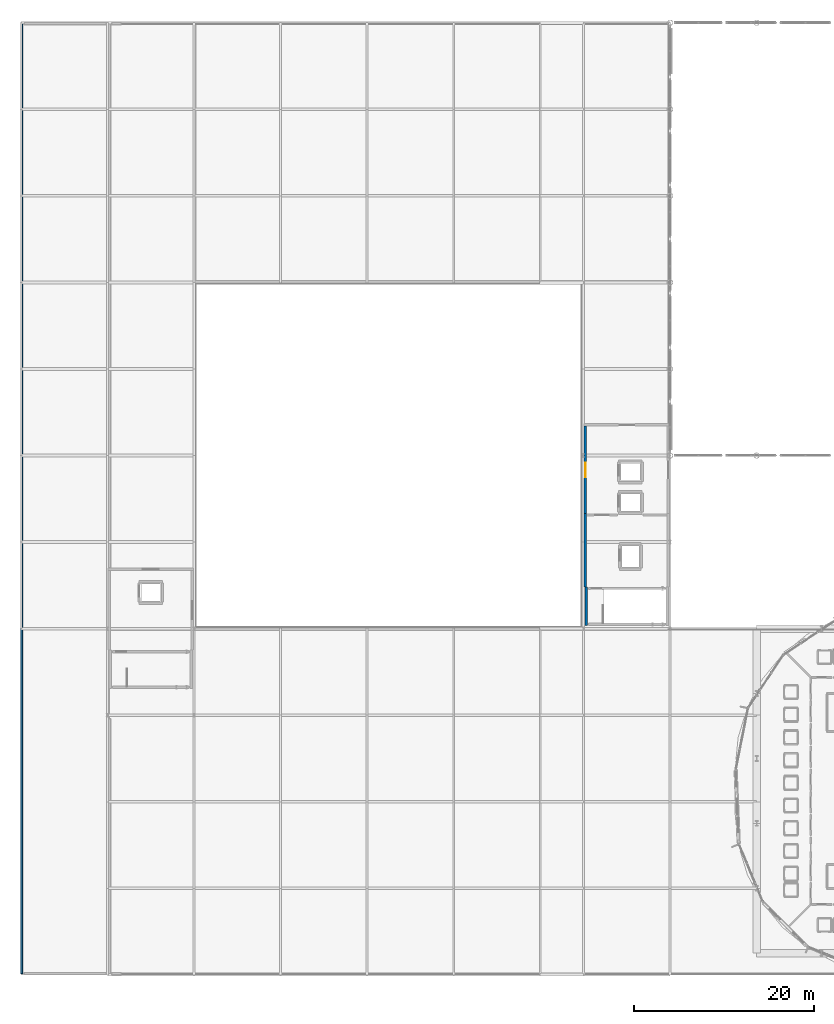
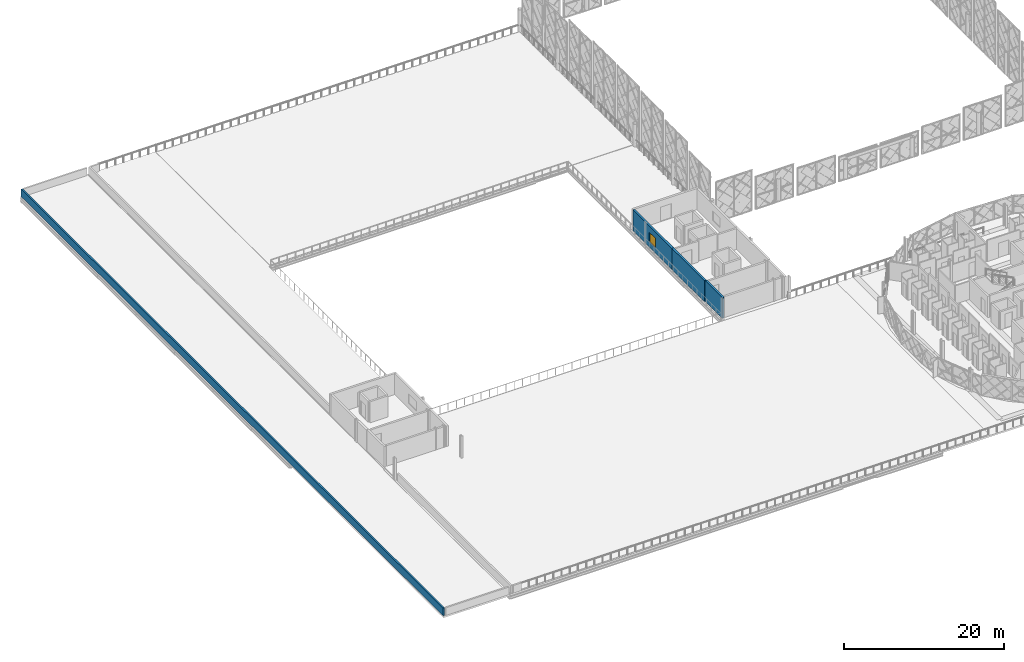
# One storey, part 29 of 53: 4 walls, 1 window, 1 opening.
"""IFC4 building model written with IfcOpenShell, lengths in metres."""

from ifc_helpers import new_model, si_unit, direction, frame, frame_2d, origin, place, context, subcontext, project, spatial, rectangle, extrude, material, layer, layer_set, type_object, element, fill, save


model = new_model("IFC4")

# Units and contexts
model_context = context("Model", 3, precision=1e-05, world=origin(), true_north=direction((0.0, 1.0)))
body_context = subcontext(model_context, "Body", "Model", "MODEL_VIEW")
ifc_project = project(units=[si_unit("LENGTHUNIT", "METRE"), si_unit("AREAUNIT", "SQUARE_METRE"), si_unit("VOLUMEUNIT", "CUBIC_METRE"), si_unit("PLANEANGLEUNIT", "RADIAN"), si_unit("MASSUNIT", "GRAM", prefix="KILO")], contexts=[model_context])

# Site, building, storey
site_placement = place(None, origin())
site = spatial("IfcSite", under=ifc_project, at=site_placement, CompositionType="ELEMENT")
building_placement = place(site_placement, origin())
building = spatial("IfcBuilding", under=site, at=building_placement, Name="Zevrakil Square Congress Hotel", CompositionType="ELEMENT")
storey_placement = place(building_placement, frame((0.0, 0.0, 14.699951171875)))
storey = spatial("IfcBuildingStorey", under=building, at=storey_placement, Name="L04", CompositionType="ELEMENT", Elevation=14.699951171875)

# Wall
ifc_material_1 = material(Name="Precast concrete C40/50", Category="concrete")
ifc_layer_1 = layer(ifc_material_1, 0.280029296875)
ifc_layer_set_1 = layer_set([ifc_layer_1], Name="Precast concrete C40/50")
wall_type_1 = type_object("IfcWallType", Name="WAL-EXT-PAV-280", PredefinedType="SOLIDWALL", material=ifc_layer_set_1)
wall_1_placement = place(storey_placement, frame((108.199951171875, 50.205078125, 0.0), z_axis=(0.0, 0.0, 1.0), x_axis=(0.0, 1.0, 0.0)))
element("IfcWall", 1, at=wall_1_placement, inside=storey, type_object=wall_type_1, Name="L04 exterior GRC wall EW-L04-0113", PredefinedType="SOLIDWALL", context=body_context, shape_type="SweptSolid", body=[
    extrude(rectangle(XDim=8.141845703125, YDim=0.280029296875, at=frame_2d((4.07080078125, 0.0))), origin(), (0.0, 0.0, 1.0), 3.215087890625),
])

# Wall, opening, window
wall_2_placement = place(storey_placement, frame((108.199951171875, 58.35302734375, 0.0), z_axis=(0.0, 0.0, 1.0), x_axis=(0.0, 1.0, 0.0)))
wall_2 = element("IfcWall", 2, at=wall_2_placement, inside=storey, type_object=wall_type_1, Name="L04 exterior GRC wall EW-L04-0114", PredefinedType="SOLIDWALL", context=body_context, shape_type="SweptSolid", body=[
    extrude(rectangle(XDim=9.701904296875, YDim=0.280029296875, at=frame_2d((4.85107421875, 0.0))), origin(), (0.0, 0.0, 1.0), 3.215087890625),
])
opening_placement = place(wall_2_placement, frame((4.051025390625, 0.0, 0.75)))
opening = element("IfcOpeningElement", 3, at=opening_placement, cuts=wall_2, Name="Opening WN-09", PredefinedType="OPENING", context=body_context, shape_type="SweptSolid", body=[
    extrude(rectangle(XDim=1.60009765625, YDim=1.5, at=frame_2d((0.800048828125, 0.75))), frame((0.0, 0.14990234375, 0.0), z_axis=(0.0, -1.0, 0.0), x_axis=(1.0, 0.0, 0.0)), (0.0, 0.0, 1.0), 0.300048828125),
])
ifc_material_2 = material(Name="Low-E Solar Control Double Glazing", Category="glass")
window_type = type_object("IfcWindowType", Name="WIN-EXT-09", PartitioningType="SINGLE_PANEL", PredefinedType="WINDOW", material=ifc_material_2)
window_placement = place(opening_placement, origin())
window = element("IfcWindow", 4, at=window_placement, inside=storey, type_object=window_type, Name="L04 low-E solar window 97", OverallHeight=1.5, OverallWidth=1.60009765625, PartitioningType="SINGLE_PANEL", PredefinedType="WINDOW", context=body_context, shape_type="SweptSolid", body=[
    extrude(rectangle(XDim=1.60009765625, YDim=1.5, at=frame_2d((0.800048828125, 0.75))), frame((0.0, 0.030029296875, 0.0), z_axis=(0.0, -1.0, 0.0), x_axis=(1.0, 0.0, 0.0)), (0.0, 0.0, 1.0), 0.06005859375),
])
fill(opening, window)

# Walls
ifc_material_3 = material(Name="Precast concrete C40/50", Category="concrete")
ifc_layer_2 = layer(ifc_material_3, 0.219970703125)
ifc_layer_set_2 = layer_set([ifc_layer_2], Name="Precast concrete C40/50")
wall_type_2 = type_object("IfcWallType", Name="WAL-PARAPET-220", PredefinedType="PARAPET", material=ifc_layer_set_2)
wall_3_placement = place(storey_placement, frame((45.719970703125, 7.320068359375, 0.0), z_axis=(0.0, 0.0, 1.0), x_axis=(0.0, 1.0, 0.0)))
element("IfcWall", 5, at=wall_3_placement, inside=storey, type_object=wall_type_2, Name="L04 west green roof perimeter parapet 1", PredefinedType="PARAPET", context=body_context, shape_type="SweptSolid", body=[
    extrude(rectangle(XDim=105.35986328125, YDim=0.219970703125, at=frame_2d((52.679931640625, 0.0))), origin(), (0.0, 0.0, 1.0), 1.150146484375),
])
ifc_material_4 = material(Name="Concrete C40/50", Category="concrete")
ifc_layer_3 = layer(ifc_material_4, 0.260009765625)
ifc_layer_set_3 = layer_set([ifc_layer_3], Name="Concrete C40/50")
wall_type_3 = type_object("IfcWallType", Name="WAL-SHAFT-260", PredefinedType="SHEAR", material=ifc_layer_set_3)
wall_4_placement = place(storey_placement, frame((108.304931640625, 45.93994140625, 0.0), z_axis=(0.0, 0.0, 1.0), x_axis=(0.0, 1.0, 0.0)))
element("IfcWall", 6, at=wall_4_placement, inside=storey, type_object=wall_type_3, Name="L04 ST07 stair shaft W wall", PredefinedType="SHEAR", context=body_context, shape_type="SweptSolid", body=[
    extrude(rectangle(XDim=4.27001953125, YDim=0.260009765625, at=frame_2d((2.135009765625, 0.0))), origin(), (0.0, 0.0, 1.0), 3.195068359375),
])

save(model, "model.ifc")
